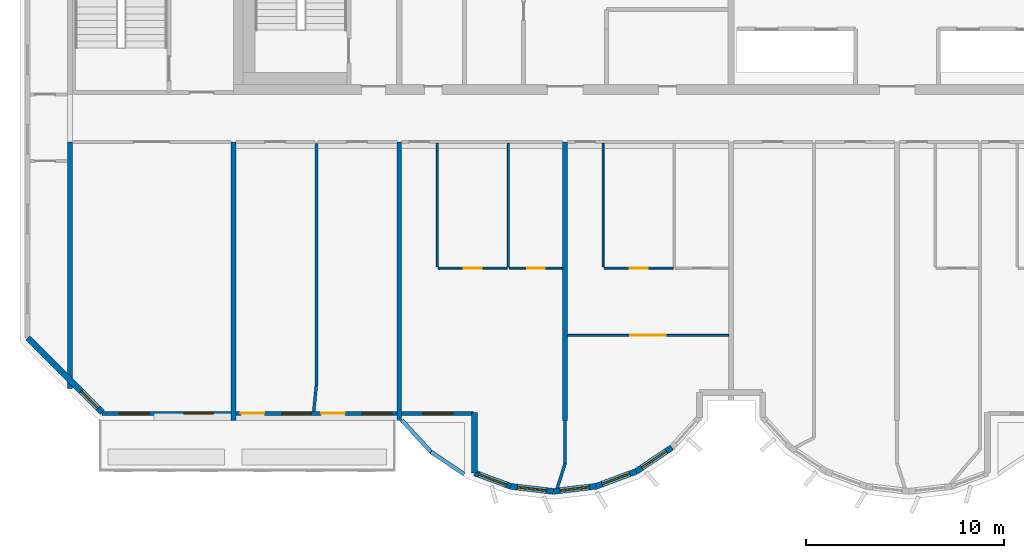
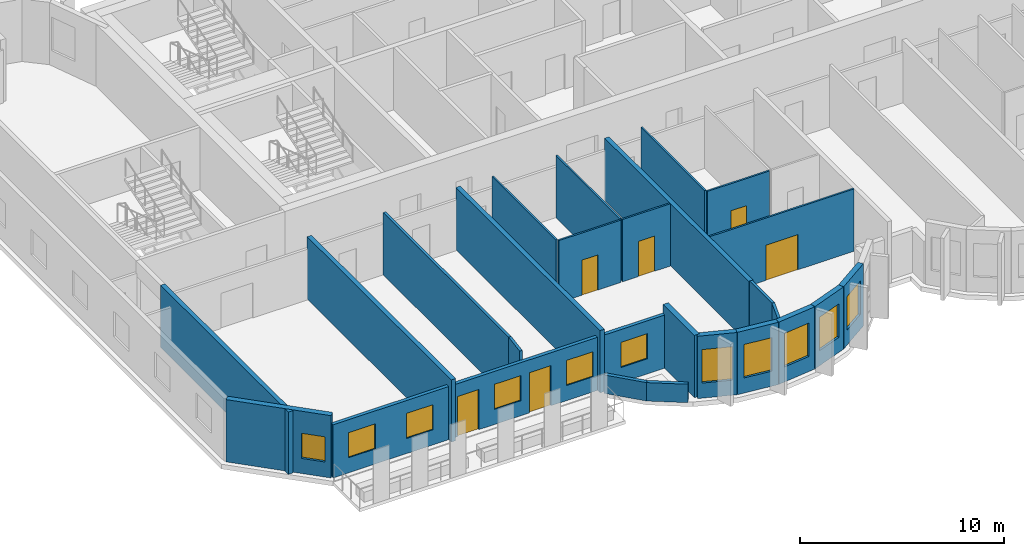
# One storey, part 2 of 12: 27 walls, 11 windows, 6 doors, 17 openings.
"""IFC4 building model written with IfcOpenShell, lengths in metres."""

from ifc_helpers import new_model, si_unit, direction, frame, frame_2d, origin, place, context, subcontext, project, spatial, rectangle, extrude, source, transform, mapped, material, layer, layer_set, type_object, element, fill, save


model = new_model("IFC4")

# Units and contexts
model_context = context("Model", 3, precision=1e-05, world=origin(), true_north=direction((0.0, 1.0)))
body_context = subcontext(model_context, "Body", "Model", "MODEL_VIEW")
ifc_project = project(units=[si_unit("LENGTHUNIT", "METRE"), si_unit("AREAUNIT", "SQUARE_METRE"), si_unit("VOLUMEUNIT", "CUBIC_METRE"), si_unit("PLANEANGLEUNIT", "RADIAN"), si_unit("MASSUNIT", "GRAM", prefix="KILO")], contexts=[model_context])

# Site, building, storey
site_placement = place(None, origin())
site = spatial("IfcSite", under=ifc_project, at=site_placement, CompositionType="ELEMENT")
building_placement = place(site_placement, origin())
building = spatial("IfcBuilding", under=site, at=building_placement, Name="Vanashikhar Sky Hotel", CompositionType="ELEMENT")
storey_placement = place(building_placement, frame((0.0, 0.0, 313.699951171875)))
storey = spatial("IfcBuildingStorey", under=building, at=storey_placement, Name="L75", CompositionType="ELEMENT", Elevation=313.699951171875)

# Walls
ifc_material_1 = material(Name="Concrete M50", Category="concrete")
ifc_layer_1 = layer(ifc_material_1, 0.25)
ifc_layer_set_1 = layer_set([ifc_layer_1], Name="RC shear wall 250 Concrete M50")
wall_type_1 = type_object("IfcWallType", Name="RC shear wall 250 Concrete M50", PredefinedType="SHEAR", material=ifc_layer_set_1)
shared_shape_1 = source(origin(), body_context, "Body", "SweptSolid", [
    extrude(rectangle(XDim=12.5, YDim=0.25, at=frame_2d((6.25, 0.0))), origin(), (0.0, 0.0, 1.0), 3.719970703125),
])
wall_1_placement = place(storey_placement, frame((16.925048828125, 7.10009765625, 0.0), z_axis=(0.0, 0.0, 1.0), x_axis=(0.0, 1.0, 0.0)))
element("IfcWall", 1, at=wall_1_placement, inside=storey, type_object=wall_type_1, Name="CW-L75-XW03-1", PredefinedType="SHEAR", context=body_context, shape_type="MappedRepresentation", body=[
    mapped(shared_shape_1, transform((0.0, 0.0, 0.0), scale=1.0)),
])
shared_shape_2 = source(origin(), body_context, "Body", "SweptSolid", [
    extrude(rectangle(XDim=14.10009765625, YDim=0.25, at=frame_2d((7.050048828125, 0.0))), origin(), (0.0, 0.0, 1.0), 3.719970703125),
])
for number, where, z_axis, x_axis, name in (
    (2, (25.199951171875, 5.5, 0.0), (0.0, 0.0, 1.0), (0.0, 1.0, 0.0), "CW-L75-XW04-1"),
    (3, (33.60009765625, 5.5, 0.0), (0.0, 0.0, 1.0), (0.0, 1.0, 0.0), "CW-L75-XW05-1"),
    (4, (42.0, 5.5, 0.0), (0.0, 0.0, 1.0), (0.0, 1.0, 0.0), "CW-L75-XW06-1"),
):
    element("IfcWall", number, at=place(storey_placement, frame(where, z_axis=z_axis, x_axis=x_axis)), inside=storey, type_object=wall_type_1, Name=name, PredefinedType="SHEAR", context=body_context, shape_type="MappedRepresentation", body=[
        mapped(shared_shape_2, transform((0.0, 0.0, 0.0), scale=1.0)),
    ])

# Wall, openings, windows
ifc_layer_2 = layer(ifc_material_1, 0.199951171875)
ifc_layer_set_2 = layer_set([ifc_layer_2], Name="Front window wall 200")
wall_type_2 = type_object("IfcWallType", Name="Front window wall 200", PredefinedType="SOLIDWALL", material=ifc_layer_set_2)
shared_shape_3 = source(origin(), body_context, "Body", "SweptSolid", [
    extrude(rectangle(XDim=6.530029296875, YDim=0.199951171875, at=frame_2d((3.26513671875, 0.0))), origin(), (0.0, 0.0, 1.0), 3.170166015625),
])
wall_2_placement = place(storey_placement, frame((18.544921875, 5.85009765625, 0.0), z_axis=(0.0, 0.0, 1.0), x_axis=(1.0, 0.0, 0.0)))
wall_2 = element("IfcWall", 5, at=wall_2_placement, inside=storey, type_object=wall_type_2, Name="Front window wall", PredefinedType="SOLIDWALL", context=body_context, shape_type="MappedRepresentation", body=[
    mapped(shared_shape_3, transform((0.0, 0.0, 0.0), scale=1.0)),
])
shared_shape_4 = source(origin(), body_context, "Body", "SweptSolid", [
    extrude(rectangle(XDim=1.5, YDim=1.5, at=frame_2d((0.75, 0.75))), frame((0.0, 0.10986328125, 0.0), z_axis=(0.0, -1.0, 0.0), x_axis=(1.0, 0.0, 0.0)), (0.0, 0.0, 1.0), 0.219970703125),
])
opening_1_placement = place(wall_2_placement, frame((0.882568359375, 0.0, 0.89990234375)))
opening_1 = element("IfcOpeningElement", 6, at=opening_1_placement, cuts=wall_2, Name="Opening WN-1", PredefinedType="OPENING", context=body_context, shape_type="MappedRepresentation", body=[
    mapped(shared_shape_4, transform((0.0, 0.0, 0.0), scale=1.0)),
])
opening_2_placement = place(wall_2_placement, frame((4.1474609375, 0.0, 0.89990234375)))
opening_2 = element("IfcOpeningElement", 7, at=opening_2_placement, cuts=wall_2, Name="Opening WN-1", PredefinedType="OPENING", context=body_context, shape_type="MappedRepresentation", body=[
    mapped(shared_shape_4, transform((0.0, 0.0, 0.0), scale=1.0)),
])
ifc_material_2 = material(Name="Glass", Category="glass")
window_type_1 = type_object("IfcWindowType", Name="Window 1500 x 1500", PartitioningType="SINGLE_PANEL", PredefinedType="WINDOW", material=ifc_material_2)
shared_shape_5 = source(origin(), body_context, "Body", "SweptSolid", [
    extrude(rectangle(XDim=1.5, YDim=1.5, at=frame_2d((0.75, 0.75))), frame((0.0, 0.030029296875, 0.0), z_axis=(0.0, -1.0, 0.0), x_axis=(1.0, 0.0, 0.0)), (0.0, 0.0, 1.0), 0.06005859375),
])
window_1_placement = place(opening_1_placement, origin())
window_1 = element("IfcWindow", 8, at=window_1_placement, inside=storey, type_object=window_type_1, Name="Window WN-1", OverallHeight=1.5, OverallWidth=1.5, PartitioningType="SINGLE_PANEL", PredefinedType="WINDOW", context=body_context, shape_type="MappedRepresentation", body=[
    mapped(shared_shape_5, transform((0.0, 0.0, 0.0), scale=1.0)),
])
fill(opening_1, window_1)
window_2_placement = place(opening_2_placement, origin())
window_2 = element("IfcWindow", 9, at=window_2_placement, inside=storey, type_object=window_type_1, Name="Window WN-1", OverallHeight=1.5, OverallWidth=1.5, PartitioningType="SINGLE_PANEL", PredefinedType="WINDOW", context=body_context, shape_type="MappedRepresentation", body=[
    mapped(shared_shape_5, transform((0.0, 0.0, 0.0), scale=1.0)),
])
fill(opening_2, window_2)

# Wall, openings, windows, doors
shared_shape_6 = source(origin(), body_context, "Body", "SweptSolid", [
    extrude(rectangle(XDim=8.150146484375, YDim=0.199951171875, at=frame_2d((4.0751953125, 0.0))), origin(), (0.0, 0.0, 1.0), 3.170166015625),
])
wall_3_placement = place(storey_placement, frame((25.324951171875, 5.85009765625, 0.0), z_axis=(0.0, 0.0, 1.0), x_axis=(1.0, 0.0, 0.0)))
wall_3 = element("IfcWall", 10, at=wall_3_placement, inside=storey, type_object=wall_type_2, Name="Front window wall", PredefinedType="SOLIDWALL", context=body_context, shape_type="MappedRepresentation", body=[
    mapped(shared_shape_6, transform((0.0, 0.0, 0.0), scale=1.0)),
])
shared_shape_7 = source(origin(), body_context, "Body", "SweptSolid", [
    extrude(rectangle(XDim=1.199951171875, YDim=2.39990234375, at=frame_2d((0.60009765625, 1.199951171875))), frame((0.0, 0.10986328125, 0.0), z_axis=(0.0, -1.0, 0.0), x_axis=(1.0, 0.0, 0.0)), (0.0, 0.0, 1.0), 0.219970703125),
])
opening_3_placement = place(wall_3_placement, frame((0.25, 0.0, 0.0)))
opening_3 = element("IfcOpeningElement", 11, at=opening_3_placement, cuts=wall_3, Name="Opening BD-01", PredefinedType="OPENING", context=body_context, shape_type="MappedRepresentation", body=[
    mapped(shared_shape_7, transform((0.0, 0.0, 0.0), scale=1.0)),
])
opening_4_placement = place(wall_3_placement, frame((2.324951171875, 0.0, 0.89990234375)))
opening_4 = element("IfcOpeningElement", 12, at=opening_4_placement, cuts=wall_3, Name="Opening WN-1", PredefinedType="OPENING", context=body_context, shape_type="MappedRepresentation", body=[
    mapped(shared_shape_4, transform((0.0, 0.0, 0.0), scale=1.0)),
])
opening_5_placement = place(wall_3_placement, frame((4.324951171875, 0.0, 0.0)))
opening_5 = element("IfcOpeningElement", 13, at=opening_5_placement, cuts=wall_3, Name="Opening BD-02", PredefinedType="OPENING", context=body_context, shape_type="MappedRepresentation", body=[
    mapped(shared_shape_7, transform((0.0, 0.0, 0.0), scale=1.0)),
])
opening_6_placement = place(wall_3_placement, frame((6.39990234375, 0.0, 0.89990234375)))
opening_6 = element("IfcOpeningElement", 14, at=opening_6_placement, cuts=wall_3, Name="Opening WN-1", PredefinedType="OPENING", context=body_context, shape_type="MappedRepresentation", body=[
    mapped(shared_shape_4, transform((0.0, 0.0, 0.0), scale=1.0)),
])
window_3_placement = place(opening_4_placement, origin())
window_3 = element("IfcWindow", 15, at=window_3_placement, inside=storey, type_object=window_type_1, Name="Window WN-1", OverallHeight=1.5, OverallWidth=1.5, PartitioningType="SINGLE_PANEL", PredefinedType="WINDOW", context=body_context, shape_type="MappedRepresentation", body=[
    mapped(shared_shape_5, transform((0.0, 0.0, 0.0), scale=1.0)),
])
fill(opening_4, window_3)
window_4_placement = place(opening_6_placement, origin())
window_4 = element("IfcWindow", 16, at=window_4_placement, inside=storey, type_object=window_type_1, Name="Window WN-1", OverallHeight=1.5, OverallWidth=1.5, PartitioningType="SINGLE_PANEL", PredefinedType="WINDOW", context=body_context, shape_type="MappedRepresentation", body=[
    mapped(shared_shape_5, transform((0.0, 0.0, 0.0), scale=1.0)),
])
fill(opening_6, window_4)
ifc_material_3 = material(Name="Aluminium", Category="aluminium")
door_type_1 = type_object("IfcDoorType", Name="Balcony sliding door 1200 x 2400", OperationType="NOTDEFINED", PredefinedType="DOOR", material=ifc_material_3)
shared_shape_8 = source(origin(), body_context, "Body", "SweptSolid", [
    extrude(rectangle(XDim=1.199951171875, YDim=2.39990234375, at=frame_2d((0.60009765625, 1.199951171875))), frame((0.0, 0.02490234375, 0.0), z_axis=(0.0, -1.0, 0.0), x_axis=(1.0, 0.0, 0.0)), (0.0, 0.0, 1.0), 0.050048828125),
])
door_1_placement = place(opening_3_placement, origin())
door_1 = element("IfcDoor", 17, at=door_1_placement, inside=storey, type_object=door_type_1, Name="Balcony sliding door", OperationType="SLIDING_TO_LEFT", OverallHeight=2.39990234375, OverallWidth=1.199951171875, PredefinedType="DOOR", context=body_context, shape_type="MappedRepresentation", body=[
    mapped(shared_shape_8, transform((0.0, 0.0, 0.0), scale=1.0)),
])
fill(opening_3, door_1)
door_2_placement = place(opening_5_placement, origin())
door_2 = element("IfcDoor", 18, at=door_2_placement, inside=storey, type_object=door_type_1, Name="Balcony sliding door", OperationType="SLIDING_TO_RIGHT", OverallHeight=2.39990234375, OverallWidth=1.199951171875, PredefinedType="DOOR", context=body_context, shape_type="MappedRepresentation", body=[
    mapped(shared_shape_8, transform((0.0, 0.0, 0.0), scale=1.0)),
])
fill(opening_5, door_2)

# Wall, opening, window
ifc_layer_3 = layer(ifc_material_1, 0.300048828125)
ifc_layer_set_3 = layer_set([ifc_layer_3], Name="Lobe wall 300")
wall_type_3 = type_object("IfcWallType", Name="Lobe wall 300", PredefinedType="SOLIDWALL", material=ifc_layer_set_3)
shared_shape_9 = source(origin(), body_context, "Body", "SweptSolid", [
    extrude(rectangle(XDim=2.17578125, YDim=0.300048828125, at=frame_2d((1.087890625, 0.0))), origin(), (0.0, 0.0, 1.0), 3.719970703125),
])
wall_4_placement = place(storey_placement, frame((45.59912109375, 2.91650390625, 0.0), z_axis=(0.0, 0.0, 1.0), x_axis=(0.829625727223, 0.558319937607, 0.0)))
wall_4 = element("IfcWall", 19, at=wall_4_placement, inside=storey, type_object=wall_type_3, Name="Lobe wall", PredefinedType="SOLIDWALL", context=body_context, shape_type="MappedRepresentation", body=[
    mapped(shared_shape_9, transform((0.0, 0.0, 0.0), scale=1.0)),
])
shared_shape_10 = source(origin(), body_context, "Body", "SweptSolid", [
    extrude(rectangle(XDim=1.5, YDim=2.0, at=frame_2d((0.75, 1.0))), frame((0.0, 0.16015625, 0.0), z_axis=(0.0, -1.0, 0.0), x_axis=(1.0, 0.0, 0.0)), (0.0, 0.0, 1.0), 0.320068359375),
])
opening_7_placement = place(wall_4_placement, frame((0.337890625, 0.0, 0.89990234375)))
opening_7 = element("IfcOpeningElement", 20, at=opening_7_placement, cuts=wall_4, Name="Opening WN-2", PredefinedType="OPENING", context=body_context, shape_type="MappedRepresentation", body=[
    mapped(shared_shape_10, transform((0.0, 0.0, 0.0), scale=1.0)),
])
window_type_2 = type_object("IfcWindowType", Name="Lobe window 1500 x 2000", PartitioningType="SINGLE_PANEL", PredefinedType="WINDOW", material=ifc_material_2)
shared_shape_11 = source(origin(), body_context, "Body", "SweptSolid", [
    extrude(rectangle(XDim=1.5, YDim=2.0, at=frame_2d((0.75, 1.0))), frame((0.0, 0.030029296875, 0.0), z_axis=(0.0, -1.0, 0.0), x_axis=(1.0, 0.0, 0.0)), (0.0, 0.0, 1.0), 0.06005859375),
])
window_5_placement = place(opening_7_placement, origin())
window_5 = element("IfcWindow", 21, at=window_5_placement, inside=storey, type_object=window_type_2, Name="Window WN-2", OverallHeight=2.0, OverallWidth=1.5, PartitioningType="SINGLE_PANEL", PredefinedType="WINDOW", context=body_context, shape_type="MappedRepresentation", body=[
    mapped(shared_shape_11, transform((0.0, 0.0, 0.0), scale=1.0)),
])
fill(opening_7, window_5)

shared_shape_12 = source(origin(), body_context, "Body", "SweptSolid", [
    extrude(rectangle(XDim=2.174560546875, YDim=0.300048828125, at=frame_2d((1.08740234375, 0.0))), origin(), (0.0, 0.0, 1.0), 3.719970703125),
])
wall_5_placement = place(storey_placement, frame((39.240478515625, 2.15966796875, 0.0), z_axis=(0.0, 0.0, 1.0), x_axis=(0.993001132889, -0.118104826659, 0.0)))
wall_5 = element("IfcWall", 22, at=wall_5_placement, inside=storey, type_object=wall_type_3, Name="Lobe wall", PredefinedType="SOLIDWALL", context=body_context, shape_type="MappedRepresentation", body=[
    mapped(shared_shape_12, transform((0.0, 0.0, 0.0), scale=1.0)),
])
opening_8_placement = place(wall_5_placement, frame((0.33740234375, 0.0, 0.89990234375)))
opening_8 = element("IfcOpeningElement", 23, at=opening_8_placement, cuts=wall_5, Name="Opening WN-2", PredefinedType="OPENING", context=body_context, shape_type="MappedRepresentation", body=[
    mapped(shared_shape_10, transform((0.0, 0.0, 0.0), scale=1.0)),
])
window_6_placement = place(opening_8_placement, origin())
window_6 = element("IfcWindow", 24, at=window_6_placement, inside=storey, type_object=window_type_2, Name="Window WN-2", OverallHeight=2.0, OverallWidth=1.5, PartitioningType="SINGLE_PANEL", PredefinedType="WINDOW", context=body_context, shape_type="MappedRepresentation", body=[
    mapped(shared_shape_11, transform((0.0, 0.0, 0.0), scale=1.0)),
])
fill(opening_8, window_6)

shared_shape_13 = source(origin(), body_context, "Body", "SweptSolid", [
    extrude(rectangle(XDim=2.1748046875, YDim=0.300048828125, at=frame_2d((1.08740234375, 0.0))), origin(), (0.0, 0.0, 1.0), 3.719970703125),
])
wall_6_placement = place(storey_placement, frame((41.39990234375, 1.90283203125, 0.0), z_axis=(0.0, 0.0, 1.0), x_axis=(0.993002698611, 0.118091661648, 0.0)))
wall_6 = element("IfcWall", 25, at=wall_6_placement, inside=storey, type_object=wall_type_3, Name="Lobe wall", PredefinedType="SOLIDWALL", context=body_context, shape_type="MappedRepresentation", body=[
    mapped(shared_shape_13, transform((0.0, 0.0, 0.0), scale=1.0)),
])
opening_9_placement = place(wall_6_placement, frame((0.33740234375, 0.0, 0.89990234375)))
opening_9 = element("IfcOpeningElement", 26, at=opening_9_placement, cuts=wall_6, Name="Opening WN-2", PredefinedType="OPENING", context=body_context, shape_type="MappedRepresentation", body=[
    mapped(shared_shape_10, transform((0.0, 0.0, 0.0), scale=1.0)),
])
window_7_placement = place(opening_9_placement, origin())
window_7 = element("IfcWindow", 27, at=window_7_placement, inside=storey, type_object=window_type_2, Name="Window WN-2", OverallHeight=2.0, OverallWidth=1.5, PartitioningType="SINGLE_PANEL", PredefinedType="WINDOW", context=body_context, shape_type="MappedRepresentation", body=[
    mapped(shared_shape_11, transform((0.0, 0.0, 0.0), scale=1.0)),
])
fill(opening_9, window_7)

shared_shape_14 = source(origin(), body_context, "Body", "SweptSolid", [
    extrude(rectangle(XDim=2.175537109375, YDim=0.300048828125, at=frame_2d((1.087890625, 0.0))), origin(), (0.0, 0.0, 1.0), 3.719970703125),
])
wall_7_placement = place(storey_placement, frame((43.5595703125, 2.15966796875, 0.0), z_axis=(0.0, 0.0, 1.0), x_axis=(0.937531979054, 0.347899106424, 0.0)))
wall_7 = element("IfcWall", 28, at=wall_7_placement, inside=storey, type_object=wall_type_3, Name="Lobe wall", PredefinedType="SOLIDWALL", context=body_context, shape_type="MappedRepresentation", body=[
    mapped(shared_shape_14, transform((0.0, 0.0, 0.0), scale=1.0)),
])
opening_10_placement = place(wall_7_placement, frame((0.337890625, 0.0, 0.89990234375)))
opening_10 = element("IfcOpeningElement", 29, at=opening_10_placement, cuts=wall_7, Name="Opening WN-2", PredefinedType="OPENING", context=body_context, shape_type="MappedRepresentation", body=[
    mapped(shared_shape_10, transform((0.0, 0.0, 0.0), scale=1.0)),
])
window_8_placement = place(opening_10_placement, origin())
window_8 = element("IfcWindow", 30, at=window_8_placement, inside=storey, type_object=window_type_2, Name="Window WN-2", OverallHeight=2.0, OverallWidth=1.5, PartitioningType="SINGLE_PANEL", PredefinedType="WINDOW", context=body_context, shape_type="MappedRepresentation", body=[
    mapped(shared_shape_11, transform((0.0, 0.0, 0.0), scale=1.0)),
])
fill(opening_10, window_8)

shared_shape_15 = source(origin(), body_context, "Body", "SweptSolid", [
    extrude(rectangle(XDim=5.32568359375, YDim=0.300048828125, at=frame_2d((2.662841796875, 0.0))), origin(), (0.0, 0.0, 1.0), 3.719970703125),
])
wall_8_placement = place(storey_placement, frame((14.800048828125, 9.665771484375, 0.0), z_axis=(0.0, 0.0, 1.0), x_axis=(0.707083859269, -0.707129702361, 0.0)))
wall_8 = element("IfcWall", 31, at=wall_8_placement, inside=storey, type_object=wall_type_3, Name="Corner wall", PredefinedType="SOLIDWALL", context=body_context, shape_type="MappedRepresentation", body=[
    mapped(shared_shape_15, transform((0.0, 0.0, 0.0), scale=1.0)),
])
shared_shape_16 = source(origin(), body_context, "Body", "SweptSolid", [
    extrude(rectangle(XDim=1.199951171875, YDim=1.5, at=frame_2d((0.60009765625, 0.75))), frame((0.0, 0.16015625, 0.0), z_axis=(0.0, -1.0, 0.0), x_axis=(1.0, 0.0, 0.0)), (0.0, 0.0, 1.0), 0.320068359375),
])
opening_11_placement = place(wall_8_placement, frame((3.8154296875, 0.0, 0.89990234375)))
opening_11 = element("IfcOpeningElement", 32, at=opening_11_placement, cuts=wall_8, Name="Opening WN-3", PredefinedType="OPENING", context=body_context, shape_type="MappedRepresentation", body=[
    mapped(shared_shape_16, transform((0.0, 0.0, 0.0), scale=1.0)),
])
window_type_3 = type_object("IfcWindowType", Name="Corridor end window 1200 x 1500", PartitioningType="SINGLE_PANEL", PredefinedType="WINDOW", material=ifc_material_2)
shared_shape_17 = source(origin(), body_context, "Body", "SweptSolid", [
    extrude(rectangle(XDim=1.199951171875, YDim=1.5, at=frame_2d((0.60009765625, 0.75))), frame((0.0, 0.030029296875, 0.0), z_axis=(0.0, -1.0, 0.0), x_axis=(1.0, 0.0, 0.0)), (0.0, 0.0, 1.0), 0.06005859375),
])
window_9_placement = place(opening_11_placement, origin())
window_9 = element("IfcWindow", 33, at=window_9_placement, inside=storey, type_object=window_type_3, Name="Window WN-3", OverallHeight=1.5, OverallWidth=1.199951171875, PartitioningType="SINGLE_PANEL", PredefinedType="WINDOW", context=body_context, shape_type="MappedRepresentation", body=[
    mapped(shared_shape_17, transform((0.0, 0.0, 0.0), scale=1.0)),
])
fill(opening_11, window_9)

shared_shape_18 = source(origin(), body_context, "Body", "SweptSolid", [
    extrude(rectangle(XDim=3.641845703125, YDim=0.199951171875, at=frame_2d((1.82080078125, 0.0))), origin(), (0.0, 0.0, 1.0), 3.170166015625),
])
wall_9_placement = place(storey_placement, frame((33.72509765625, 5.85009765625, 0.0), z_axis=(0.0, 0.0, 1.0), x_axis=(1.0, 0.0, 0.0)))
wall_9 = element("IfcWall", 34, at=wall_9_placement, inside=storey, type_object=wall_type_2, Name="Front window wall", PredefinedType="SOLIDWALL", context=body_context, shape_type="MappedRepresentation", body=[
    mapped(shared_shape_18, transform((0.0, 0.0, 0.0), scale=1.0)),
])
opening_12_placement = place(wall_9_placement, frame((1.071044921875, 0.0, 0.89990234375)))
opening_12 = element("IfcOpeningElement", 35, at=opening_12_placement, cuts=wall_9, Name="Opening WN-1", PredefinedType="OPENING", context=body_context, shape_type="MappedRepresentation", body=[
    mapped(shared_shape_4, transform((0.0, 0.0, 0.0), scale=1.0)),
])
window_10_placement = place(opening_12_placement, origin())
window_10 = element("IfcWindow", 36, at=window_10_placement, inside=storey, type_object=window_type_1, Name="Window WN-1", OverallHeight=1.5, OverallWidth=1.5, PartitioningType="SINGLE_PANEL", PredefinedType="WINDOW", context=body_context, shape_type="MappedRepresentation", body=[
    mapped(shared_shape_5, transform((0.0, 0.0, 0.0), scale=1.0)),
])
fill(opening_12, window_10)

# Wall
shared_shape_19 = source(origin(), body_context, "Body", "SweptSolid", [
    extrude(rectangle(XDim=3.063720703125, YDim=0.300048828125, at=frame_2d((1.53173828125, 0.0))), origin(), (0.0, 0.0, 1.0), 3.719970703125),
])
wall_10_placement = place(storey_placement, frame((37.4169921875, 5.89990234375, 0.0), z_axis=(0.0, 0.0, 1.0), x_axis=(0.0, -1.0, 0.0)))
element("IfcWall", 37, at=wall_10_placement, inside=storey, type_object=wall_type_3, Name="Lobe end wall", PredefinedType="SOLIDWALL", context=body_context, shape_type="MappedRepresentation", body=[
    mapped(shared_shape_19, transform((0.0, 0.0, 0.0), scale=1.0)),
])

# Wall, opening, window
shared_shape_20 = source(origin(), body_context, "Body", "SweptSolid", [
    extrude(rectangle(XDim=1.94482421875, YDim=0.300048828125, at=frame_2d((0.972412109375, 0.0))), origin(), (0.0, 0.0, 1.0), 3.719970703125),
])
wall_11_placement = place(storey_placement, frame((37.4169921875, 2.836181640625, 0.0), z_axis=(0.0, 0.0, 1.0), x_axis=(0.937556314853, -0.347833518337, 0.0)))
wall_11 = element("IfcWall", 38, at=wall_11_placement, inside=storey, type_object=wall_type_3, Name="Lobe wall", PredefinedType="SOLIDWALL", context=body_context, shape_type="MappedRepresentation", body=[
    mapped(shared_shape_20, transform((0.0, 0.0, 0.0), scale=1.0)),
])
opening_13_placement = place(wall_11_placement, frame((0.222412109375, 0.0, 0.89990234375)))
opening_13 = element("IfcOpeningElement", 39, at=opening_13_placement, cuts=wall_11, Name="Opening WN-2", PredefinedType="OPENING", context=body_context, shape_type="MappedRepresentation", body=[
    mapped(shared_shape_10, transform((0.0, 0.0, 0.0), scale=1.0)),
])
window_11_placement = place(opening_13_placement, origin())
window_11 = element("IfcWindow", 40, at=window_11_placement, inside=storey, type_object=window_type_2, Name="Window WN-2", OverallHeight=2.0, OverallWidth=1.5, PartitioningType="SINGLE_PANEL", PredefinedType="WINDOW", context=body_context, shape_type="MappedRepresentation", body=[
    mapped(shared_shape_11, transform((0.0, 0.0, 0.0), scale=1.0)),
])
fill(opening_13, window_11)

# Walls
ifc_layer_4 = layer(ifc_material_1, 0.199951171875)
ifc_layer_set_4 = layer_set([ifc_layer_4], Name="Parapet 200")
wall_type_4 = type_object("IfcWallType", Name="Parapet 200", PredefinedType="PARAPET", material=ifc_layer_set_4)
shared_shape_21 = source(origin(), body_context, "Body", "SweptSolid", [
    extrude(rectangle(XDim=2.021728515625, YDim=0.199951171875, at=frame_2d((1.0107421875, 0.0))), origin(), (0.0, 0.0, 1.0), 1.10009765625),
])
wall_12_placement = place(storey_placement, frame((36.876953125, 2.775390625, -0.050048828125), z_axis=(0.0, 0.0, 1.0), x_axis=(-0.829589899021, 0.558373172209, 0.0)))
element("IfcWall", 41, at=wall_12_placement, inside=storey, type_object=wall_type_4, Name="Roof parapet", PredefinedType="PARAPET", context=body_context, shape_type="MappedRepresentation", body=[
    mapped(shared_shape_21, transform((0.0, 0.0, 0.0), scale=1.0)),
])
shared_shape_22 = source(origin(), body_context, "Body", "SweptSolid", [
    extrude(rectangle(XDim=2.163818359375, YDim=0.199951171875, at=frame_2d((1.08203125, 0.0))), origin(), (0.0, 0.0, 1.0), 1.10009765625),
])
wall_13_placement = place(storey_placement, frame((35.19970703125, 3.904296875, -0.050048828125), z_axis=(0.0, 0.0, 1.0), x_axis=(-0.675280003013, 0.737561466951, 0.0)))
element("IfcWall", 42, at=wall_13_placement, inside=storey, type_object=wall_type_4, Name="Roof parapet", PredefinedType="PARAPET", context=body_context, shape_type="MappedRepresentation", body=[
    mapped(shared_shape_22, transform((0.0, 0.0, 0.0), scale=1.0)),
])
ifc_material_4 = material(Name="Gypsum plasterboard partition")
ifc_layer_5 = layer(ifc_material_4, 0.10009765625)
ifc_layer_set_5 = layer_set([ifc_layer_5], Name="Wet room partition 100")
wall_type_5 = type_object("IfcWallType", Name="Wet room partition 100", PredefinedType="PARTITIONING", material=ifc_layer_set_5)
shared_shape_23 = source(origin(), body_context, "Body", "SweptSolid", [
    extrude(rectangle(XDim=6.25, YDim=0.10009765625, at=frame_2d((3.125, 0.0))), origin(), (0.0, 0.0, 1.0), 3.719970703125),
])
for number, where, z_axis, x_axis, name in (
    (43, (35.52490234375, 13.27490234375, 0.0), (0.0, 0.0, 1.0), (0.0, 1.0, 0.0), "W-L75-PW005"),
    (44, (39.125, 13.27490234375, 0.0), (0.0, 0.0, 1.0), (0.0, 1.0, 0.0), "W-L75-PW006"),
    (45, (43.925048828125, 13.27490234375, 0.0), (0.0, 0.0, 1.0), (0.0, 1.0, 0.0), "W-L75-PW010"),
):
    element("IfcWall", number, at=place(storey_placement, frame(where, z_axis=z_axis, x_axis=x_axis)), inside=storey, type_object=wall_type_5, Name=name, PredefinedType="PARTITIONING", context=body_context, shape_type="MappedRepresentation", body=[
        mapped(shared_shape_23, transform((0.0, 0.0, 0.0), scale=1.0)),
    ])

# Wall, opening, door
shared_shape_24 = source(origin(), body_context, "Body", "SweptSolid", [
    extrude(rectangle(XDim=3.5, YDim=0.10009765625, at=frame_2d((1.75, 0.0))), origin(), (0.0, 0.0, 1.0), 3.719970703125),
])
wall_14_placement = place(storey_placement, frame((35.574951171875, 13.199951171875, 0.0), z_axis=(0.0, 0.0, 1.0), x_axis=(1.0, 0.0, 0.0)))
wall_14 = element("IfcWall", 46, at=wall_14_placement, inside=storey, type_object=wall_type_5, Name="W-L75-PW007", PredefinedType="PARTITIONING", context=body_context, shape_type="MappedRepresentation", body=[
    mapped(shared_shape_24, transform((0.0, 0.0, 0.0), scale=1.0)),
])
shared_shape_25 = source(origin(), body_context, "Body", "SweptSolid", [
    extrude(rectangle(XDim=0.89990234375, YDim=2.10009765625, at=frame_2d((0.449951171875, 1.050048828125))), frame((0.0, 0.06005859375, 0.0), z_axis=(0.0, -1.0, 0.0), x_axis=(1.0, 0.0, 0.0)), (0.0, 0.0, 1.0), 0.1201171875),
])
opening_14_placement = place(wall_14_placement, frame((1.300048828125, 0.0, 0.0)))
opening_14 = element("IfcOpeningElement", 47, at=opening_14_placement, cuts=wall_14, Name="Opening D-02", PredefinedType="OPENING", context=body_context, shape_type="MappedRepresentation", body=[
    mapped(shared_shape_25, transform((0.0, 0.0, 0.0), scale=1.0)),
])
ifc_material_5 = material(Name="Timber door", Category="wood")
door_type_2 = type_object("IfcDoorType", Name="Internal door 900", OperationType="NOTDEFINED", PredefinedType="DOOR", material=ifc_material_5)
shared_shape_26 = source(origin(), body_context, "Body", "SweptSolid", [
    extrude(rectangle(XDim=0.89990234375, YDim=2.10009765625, at=frame_2d((0.449951171875, 1.050048828125))), frame((0.0, 0.02490234375, 0.0), z_axis=(0.0, -1.0, 0.0), x_axis=(1.0, 0.0, 0.0)), (0.0, 0.0, 1.0), 0.050048828125),
])
door_3_placement = place(opening_14_placement, origin())
door_3 = element("IfcDoor", 48, at=door_3_placement, inside=storey, type_object=door_type_2, Name="D-L75-004", OperationType="SINGLE_SWING_LEFT", OverallHeight=2.10009765625, OverallWidth=0.89990234375, PredefinedType="DOOR", context=body_context, shape_type="MappedRepresentation", body=[
    mapped(shared_shape_26, transform((0.0, 0.0, 0.0), scale=1.0)),
])
fill(opening_14, door_3)

wall_15_placement = place(storey_placement, frame((43.97509765625, 13.199951171875, 0.0), z_axis=(0.0, 0.0, 1.0), x_axis=(1.0, 0.0, 0.0)))
wall_15 = element("IfcWall", 49, at=wall_15_placement, inside=storey, type_object=wall_type_5, Name="W-L75-PW012", PredefinedType="PARTITIONING", context=body_context, shape_type="MappedRepresentation", body=[
    mapped(shared_shape_24, transform((0.0, 0.0, 0.0), scale=1.0)),
])
opening_15_placement = place(wall_15_placement, frame((1.300048828125, 0.0, 0.0)))
opening_15 = element("IfcOpeningElement", 50, at=opening_15_placement, cuts=wall_15, Name="Opening D-02", PredefinedType="OPENING", context=body_context, shape_type="MappedRepresentation", body=[
    mapped(shared_shape_25, transform((0.0, 0.0, 0.0), scale=1.0)),
])
door_4_placement = place(opening_15_placement, origin())
door_4 = element("IfcDoor", 51, at=door_4_placement, inside=storey, type_object=door_type_2, Name="D-L75-007", OperationType="SINGLE_SWING_LEFT", OverallHeight=2.10009765625, OverallWidth=0.89990234375, PredefinedType="DOOR", context=body_context, shape_type="MappedRepresentation", body=[
    mapped(shared_shape_26, transform((0.0, 0.0, 0.0), scale=1.0)),
])
fill(opening_15, door_4)

shared_shape_27 = source(origin(), body_context, "Body", "SweptSolid", [
    extrude(rectangle(XDim=2.699951171875, YDim=0.10009765625, at=frame_2d((1.35009765625, 0.0))), origin(), (0.0, 0.0, 1.0), 3.719970703125),
])
wall_16_placement = place(storey_placement, frame((39.175048828125, 13.199951171875, 0.0), z_axis=(0.0, 0.0, 1.0), x_axis=(1.0, 0.0, 0.0)))
wall_16 = element("IfcWall", 52, at=wall_16_placement, inside=storey, type_object=wall_type_5, Name="W-L75-PW008", PredefinedType="PARTITIONING", context=body_context, shape_type="MappedRepresentation", body=[
    mapped(shared_shape_27, transform((0.0, 0.0, 0.0), scale=1.0)),
])
opening_16_placement = place(wall_16_placement, frame((0.89990234375, 0.0, 0.0)))
opening_16 = element("IfcOpeningElement", 53, at=opening_16_placement, cuts=wall_16, Name="Opening D-02", PredefinedType="OPENING", context=body_context, shape_type="MappedRepresentation", body=[
    mapped(shared_shape_25, transform((0.0, 0.0, 0.0), scale=1.0)),
])
door_5_placement = place(opening_16_placement, origin())
door_5 = element("IfcDoor", 54, at=door_5_placement, inside=storey, type_object=door_type_2, Name="D-L75-005", OperationType="SINGLE_SWING_LEFT", OverallHeight=2.10009765625, OverallWidth=0.89990234375, PredefinedType="DOOR", context=body_context, shape_type="MappedRepresentation", body=[
    mapped(shared_shape_26, transform((0.0, 0.0, 0.0), scale=1.0)),
])
fill(opening_16, door_5)

shared_shape_28 = source(origin(), body_context, "Body", "SweptSolid", [
    extrude(rectangle(XDim=8.14990234375, YDim=0.10009765625, at=frame_2d((4.074951171875, 0.0))), origin(), (0.0, 0.0, 1.0), 3.719970703125),
])
wall_17_placement = place(storey_placement, frame((42.125, 9.802001953125, 0.0), z_axis=(0.0, 0.0, 1.0), x_axis=(1.0, 0.0, 0.0)))
wall_17 = element("IfcWall", 55, at=wall_17_placement, inside=storey, type_object=wall_type_5, Name="W-L75-PW014", PredefinedType="PARTITIONING", context=body_context, shape_type="MappedRepresentation", body=[
    mapped(shared_shape_28, transform((0.0, 0.0, 0.0), scale=1.0)),
])
shared_shape_29 = source(origin(), body_context, "Body", "SweptSolid", [
    extrude(rectangle(XDim=1.800048828125, YDim=2.10009765625, at=frame_2d((0.89990234375, 1.050048828125))), frame((0.0, 0.06005859375, 0.0), z_axis=(0.0, -1.0, 0.0), x_axis=(1.0, 0.0, 0.0)), (0.0, 0.0, 1.0), 0.1201171875),
])
opening_17_placement = place(wall_17_placement, frame((3.175048828125, 0.0, 0.0)))
opening_17 = element("IfcOpeningElement", 56, at=opening_17_placement, cuts=wall_17, Name="Opening D-08", PredefinedType="OPENING", context=body_context, shape_type="MappedRepresentation", body=[
    mapped(shared_shape_29, transform((0.0, 0.0, 0.0), scale=1.0)),
])
door_type_3 = type_object("IfcDoorType", Name="Double leaf door 1800", OperationType="NOTDEFINED", PredefinedType="DOOR", material=ifc_material_5)
shared_shape_30 = source(origin(), body_context, "Body", "SweptSolid", [
    extrude(rectangle(XDim=1.800048828125, YDim=2.10009765625, at=frame_2d((0.89990234375, 1.050048828125))), frame((0.0, 0.02490234375, 0.0), z_axis=(0.0, -1.0, 0.0), x_axis=(1.0, 0.0, 0.0)), (0.0, 0.0, 1.0), 0.050048828125),
])
door_6_placement = place(opening_17_placement, origin())
door_6 = element("IfcDoor", 57, at=door_6_placement, inside=storey, type_object=door_type_3, Name="D-L75-009", OperationType="DOUBLE_DOOR_SINGLE_SWING", OverallHeight=2.10009765625, OverallWidth=1.800048828125, PredefinedType="DOOR", context=body_context, shape_type="MappedRepresentation", body=[
    mapped(shared_shape_30, transform((0.0, 0.0, 0.0), scale=1.0)),
])
fill(opening_17, door_6)

# Walls
ifc_layer_6 = layer(ifc_material_4, 0.14990234375)
ifc_layer_set_6 = layer_set([ifc_layer_6], Name="Corridor and demising partition 150")
wall_type_6 = type_object("IfcWallType", Name="Corridor and demising partition 150", PredefinedType="PARTITIONING", material=ifc_layer_set_6)
shared_shape_31 = source(origin(), body_context, "Body", "SweptSolid", [
    extrude(rectangle(XDim=2.177978515625, YDim=0.14990234375, at=frame_2d((1.0888671875, 0.0))), origin(), (0.0, 0.0, 1.0), 3.719970703125),
])
wall_18_placement = place(storey_placement, frame((42.0, 3.322021484375, 0.0), z_axis=(0.0, 0.0, 1.0), x_axis=(0.0, 1.0, 0.0)))
element("IfcWall", 58, at=wall_18_placement, inside=storey, type_object=wall_type_6, Name="W-L75-PW038", PredefinedType="PARTITIONING", context=body_context, shape_type="MappedRepresentation", body=[
    mapped(shared_shape_31, transform((0.0, 0.0, 0.0), scale=1.0)),
])
shared_shape_32 = source(origin(), body_context, "Body", "SweptSolid", [
    extrude(rectangle(XDim=1.308349609375, YDim=0.14990234375, at=frame_2d((0.654296875, 0.0))), origin(), (0.0, 0.0, 1.0), 3.719970703125),
])
wall_19_placement = place(storey_placement, frame((41.597900390625, 2.076904296875, 0.0), z_axis=(0.0, 0.0, 1.0), x_axis=(0.307313512187, 0.951608325535, 0.0)))
element("IfcWall", 59, at=wall_19_placement, inside=storey, type_object=wall_type_6, Name="W-L75-PW038B0", PredefinedType="PARTITIONING", context=body_context, shape_type="MappedRepresentation", body=[
    mapped(shared_shape_32, transform((0.0, 0.0, 0.0), scale=1.0)),
])
shared_shape_33 = source(origin(), body_context, "Body", "SweptSolid", [
    extrude(rectangle(XDim=12.27490234375, YDim=0.14990234375, at=frame_2d((6.137451171875, 0.0))), origin(), (0.0, 0.0, 1.0), 3.719970703125),
])
wall_20_placement = place(storey_placement, frame((29.39990234375, 7.25, 0.0), z_axis=(0.0, 0.0, 1.0), x_axis=(0.0, 1.0, 0.0)))
element("IfcWall", 60, at=wall_20_placement, inside=storey, type_object=wall_type_6, Name="W-L75-PW004", PredefinedType="PARTITIONING", context=body_context, shape_type="MappedRepresentation", body=[
    mapped(shared_shape_33, transform((0.0, 0.0, 0.0), scale=1.0)),
])
shared_shape_34 = source(origin(), body_context, "Body", "SweptSolid", [
    extrude(rectangle(XDim=1.306640625, YDim=0.14990234375, at=frame_2d((0.6533203125, 0.0))), origin(), (0.0, 0.0, 1.0), 3.719970703125),
])
wall_21_placement = place(storey_placement, frame((29.27001953125, 5.949951171875, 0.0), z_axis=(0.0, 0.0, 1.0), x_axis=(0.099411212066, 0.995046436562, 0.0)))
element("IfcWall", 61, at=wall_21_placement, inside=storey, type_object=wall_type_6, Name="W-L75-PW004B0", PredefinedType="PARTITIONING", context=body_context, shape_type="MappedRepresentation", body=[
    mapped(shared_shape_34, transform((0.0, 0.0, 0.0), scale=1.0)),
])

save(model, "model.ifc")
